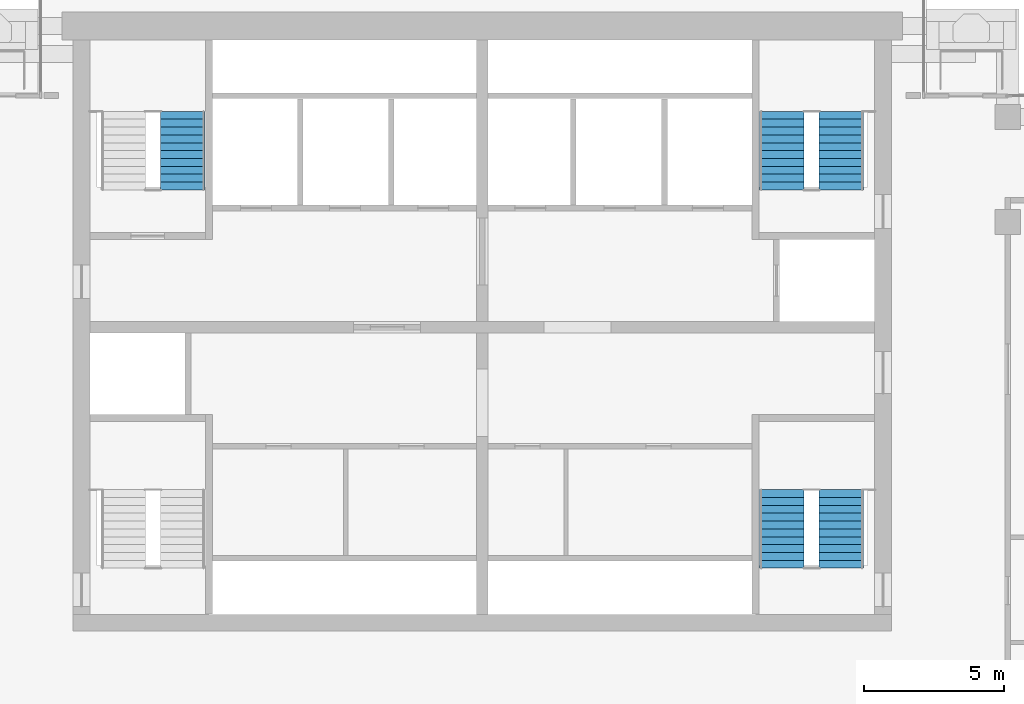
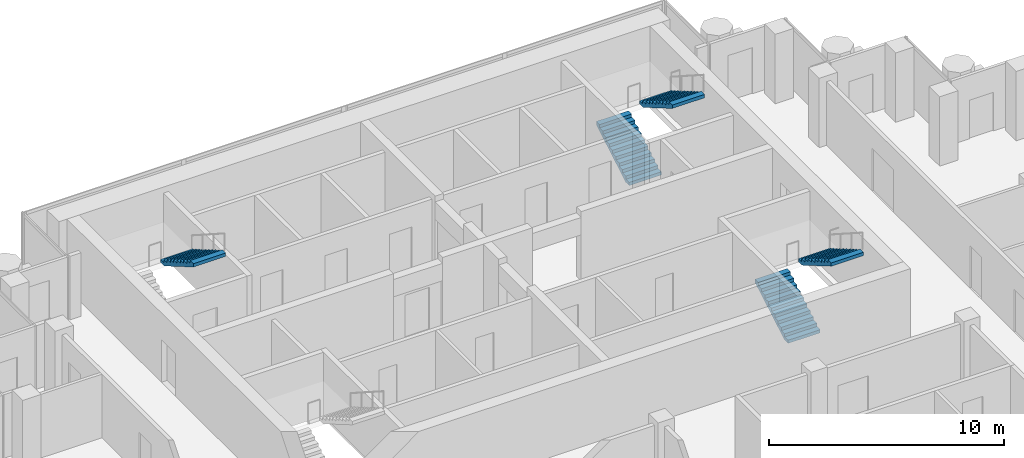
# One storey, part 15 of 19: 5 stair flights, 3 elements without a shape of their own.
"""IFC4 building model written with IfcOpenShell, lengths in metres."""

from ifc_helpers import new_model, si_unit, direction, frame, origin, place, context, subcontext, project, spatial, polyline, outline, extrude, material, type_object, element, aggregate, save


model = new_model("IFC4")

# Units and contexts
model_context = context("Model", 3, precision=1e-05, world=origin(), true_north=direction((0.0, 1.0)))
body_context = subcontext(model_context, "Body", "Model", "MODEL_VIEW")
ifc_project = project(units=[si_unit("LENGTHUNIT", "METRE"), si_unit("AREAUNIT", "SQUARE_METRE"), si_unit("VOLUMEUNIT", "CUBIC_METRE"), si_unit("PLANEANGLEUNIT", "RADIAN"), si_unit("MASSUNIT", "GRAM", prefix="KILO")], contexts=[model_context])

# Site, building, storey
site_placement = place(None, origin())
site = spatial("IfcSite", under=ifc_project, at=site_placement, CompositionType="ELEMENT")
building_placement = place(site_placement, origin())
building = spatial("IfcBuilding", under=site, at=building_placement, Name="Pilkhan Gate Tower", CompositionType="ELEMENT")
storey_placement = place(building_placement, frame((0.0, 0.0, 239.10009765625)))
storey = spatial("IfcBuildingStorey", under=building, at=storey_placement, Name="L62", CompositionType="ELEMENT", Elevation=239.10009765625)

# Stair, stair flights
ifc_material = material(Name="Concrete C40/50 precast", Category="concrete")
stair_type_1 = type_object("IfcStairType", Name="Stair ST1 164x280", PredefinedType="HALF_TURN_STAIR", material=ifc_material)
stair_1_placement = place(storey_placement, origin())
stair_1 = element("IfcStair", 1, at=stair_1_placement, inside=storey, type_object=stair_type_1, Name="Stair ST1 L62", PredefinedType="HALF_TURN_STAIR")
stair_flight_type_1 = type_object("IfcStairFlightType", Name="Stair flight ST1 164x280x11", PredefinedType="STRAIGHT", material=ifc_material)
stair_flight_1_placement = place(storey_placement, frame((85.68994140625, 73.89990234375, 0.0), z_axis=(0.0, 0.0, 1.0), x_axis=(0.0, 1.0, 0.0)))
stair_flight_1 = element("IfcStairFlight", 2, at=stair_flight_1_placement, type_object=stair_flight_type_1, Name="ST1 flight 1", NumberOfRisers=11, NumberOfTreads=10, PredefinedType="STRAIGHT", RiserHeight=0.163636364, TreadLength=0.28, context=body_context, shape_type="SweptSolid", body=[
    extrude(outline(polyline([(0.0, 0.0), (0.0, 0.16357421875), (0.280029296875, 0.16357421875), (0.280029296875, 0.327392578125), (0.56005859375, 0.327392578125), (0.56005859375, 0.490966796875), (0.840087890625, 0.490966796875), (0.840087890625, 0.654541015625), (1.1201171875, 0.654541015625), (1.1201171875, 0.818115234375), (1.39990234375, 0.818115234375), (1.39990234375, 0.98193359375), (1.679931640625, 0.98193359375), (1.679931640625, 1.1455078125), (1.9599609375, 1.1455078125), (1.9599609375, 1.30908203125), (2.239990234375, 1.30908203125), (2.239990234375, 1.47265625), (2.52001953125, 1.47265625), (2.52001953125, 1.636474609375), (2.800048828125, 1.636474609375), (2.800048828125, 1.800048828125), (2.800048828125, 1.462646484375), (0.297119140625, 0.0), (0.0, 0.0)])), frame((0.0, 0.7900390625, 0.0), z_axis=(0.0, -1.0, 0.0), x_axis=(1.0, 0.0, 0.0)), (0.0, 0.0, 1.0), 1.580078125),
])
stair_flight_2_placement = place(storey_placement, frame((87.81005859375, 76.699951171875, 1.7998046875), z_axis=(0.0, 0.0, 1.0), x_axis=(0.0, -1.0, 0.0)))
stair_flight_2 = element("IfcStairFlight", 3, at=stair_flight_2_placement, type_object=stair_flight_type_1, Name="ST1 flight 2", NumberOfRisers=11, NumberOfTreads=10, PredefinedType="STRAIGHT", RiserHeight=0.163636364, TreadLength=0.28, context=body_context, shape_type="SweptSolid", body=[
    extrude(outline(polyline([(0.0, 0.0), (0.0, 0.16357421875), (0.280029296875, 0.16357421875), (0.280029296875, 0.327392578125), (0.56005859375, 0.327392578125), (0.56005859375, 0.490966796875), (0.840087890625, 0.490966796875), (0.840087890625, 0.654541015625), (1.1201171875, 0.654541015625), (1.1201171875, 0.818115234375), (1.39990234375, 0.818115234375), (1.39990234375, 0.98193359375), (1.679931640625, 0.98193359375), (1.679931640625, 1.1455078125), (1.9599609375, 1.1455078125), (1.9599609375, 1.30908203125), (2.239990234375, 1.30908203125), (2.239990234375, 1.47265625), (2.52001953125, 1.47265625), (2.52001953125, 1.636474609375), (2.800048828125, 1.636474609375), (2.800048828125, 1.800048828125), (2.800048828125, 1.462646484375), (0.297119140625, 0.0), (0.0, 0.0)])), frame((0.0, 0.7900390625, 0.0), z_axis=(0.0, -1.0, 0.0), x_axis=(1.0, 0.0, 0.0)), (0.0, 0.0, 1.0), 1.580078125),
])
aggregate(stair_1, [stair_flight_1, stair_flight_2])

# Stair, stair flight
stair_type_2 = type_object("IfcStairType", Name="Stair ST3 164x280", PredefinedType="HALF_TURN_STAIR", material=ifc_material)
stair_2_placement = place(storey_placement, origin())
stair_2 = element("IfcStair", 4, at=stair_2_placement, inside=storey, type_object=stair_type_2, Name="Stair ST3 L62", PredefinedType="HALF_TURN_STAIR")
stair_flight_type_2 = type_object("IfcStairFlightType", Name="Stair flight ST3 164x280x11", PredefinedType="STRAIGHT", material=ifc_material)
stair_flight_3_placement = place(storey_placement, frame((64.31005859375, 90.199951171875, 1.7998046875), z_axis=(0.0, 0.0, 1.0), x_axis=(0.0, -1.0, 0.0)))
stair_flight_3 = element("IfcStairFlight", 5, at=stair_flight_3_placement, type_object=stair_flight_type_2, Name="ST3 flight 2", NumberOfRisers=11, NumberOfTreads=10, PredefinedType="STRAIGHT", RiserHeight=0.163636364, TreadLength=0.28, context=body_context, shape_type="SweptSolid", body=[
    extrude(outline(polyline([(0.0, 0.0), (0.0, 0.16357421875), (0.280029296875, 0.16357421875), (0.280029296875, 0.327392578125), (0.56005859375, 0.327392578125), (0.56005859375, 0.490966796875), (0.840087890625, 0.490966796875), (0.840087890625, 0.654541015625), (1.1201171875, 0.654541015625), (1.1201171875, 0.818115234375), (1.39990234375, 0.818115234375), (1.39990234375, 0.98193359375), (1.679931640625, 0.98193359375), (1.679931640625, 1.1455078125), (1.9599609375, 1.1455078125), (1.9599609375, 1.30908203125), (2.239990234375, 1.30908203125), (2.239990234375, 1.47265625), (2.52001953125, 1.47265625), (2.52001953125, 1.636474609375), (2.800048828125, 1.636474609375), (2.800048828125, 1.800048828125), (2.800048828125, 1.462646484375), (0.297119140625, 0.0), (0.0, 0.0)])), frame((0.0, 0.7900390625, 0.0), z_axis=(0.0, -1.0, 0.0), x_axis=(1.0, 0.0, 0.0)), (0.0, 0.0, 1.0), 1.580078125),
])
aggregate(stair_2, [stair_flight_3])

# Stair, stair flights
stair_type_3 = type_object("IfcStairType", Name="Stair ST4 164x280", PredefinedType="HALF_TURN_STAIR", material=ifc_material)
stair_3_placement = place(storey_placement, origin())
stair_3 = element("IfcStair", 6, at=stair_3_placement, inside=storey, type_object=stair_type_3, Name="Stair ST4 L62", PredefinedType="HALF_TURN_STAIR")
stair_flight_type_3 = type_object("IfcStairFlightType", Name="Stair flight ST4 164x280x11", PredefinedType="STRAIGHT", material=ifc_material)
stair_flight_4_placement = place(storey_placement, frame((85.68994140625, 87.39990234375, 0.0), z_axis=(0.0, 0.0, 1.0), x_axis=(0.0, 1.0, 0.0)))
stair_flight_4 = element("IfcStairFlight", 7, at=stair_flight_4_placement, type_object=stair_flight_type_3, Name="ST4 flight 1", NumberOfRisers=11, NumberOfTreads=10, PredefinedType="STRAIGHT", RiserHeight=0.163636364, TreadLength=0.28, context=body_context, shape_type="SweptSolid", body=[
    extrude(outline(polyline([(0.0, 0.0), (0.0, 0.16357421875), (0.280029296875, 0.16357421875), (0.280029296875, 0.327392578125), (0.56005859375, 0.327392578125), (0.56005859375, 0.490966796875), (0.840087890625, 0.490966796875), (0.840087890625, 0.654541015625), (1.1201171875, 0.654541015625), (1.1201171875, 0.818115234375), (1.39990234375, 0.818115234375), (1.39990234375, 0.98193359375), (1.679931640625, 0.98193359375), (1.679931640625, 1.1455078125), (1.9599609375, 1.1455078125), (1.9599609375, 1.30908203125), (2.239990234375, 1.30908203125), (2.239990234375, 1.47265625), (2.52001953125, 1.47265625), (2.52001953125, 1.636474609375), (2.800048828125, 1.636474609375), (2.800048828125, 1.800048828125), (2.800048828125, 1.462646484375), (0.297119140625, 0.0), (0.0, 0.0)])), frame((0.0, 0.7900390625, 0.0), z_axis=(0.0, -1.0, 0.0), x_axis=(1.0, 0.0, 0.0)), (0.0, 0.0, 1.0), 1.580078125),
])
stair_flight_5_placement = place(storey_placement, frame((87.81005859375, 90.199951171875, 1.7998046875), z_axis=(0.0, 0.0, 1.0), x_axis=(0.0, -1.0, 0.0)))
stair_flight_5 = element("IfcStairFlight", 8, at=stair_flight_5_placement, type_object=stair_flight_type_3, Name="ST4 flight 2", NumberOfRisers=11, NumberOfTreads=10, PredefinedType="STRAIGHT", RiserHeight=0.163636364, TreadLength=0.28, context=body_context, shape_type="SweptSolid", body=[
    extrude(outline(polyline([(0.0, 0.0), (0.0, 0.16357421875), (0.280029296875, 0.16357421875), (0.280029296875, 0.327392578125), (0.56005859375, 0.327392578125), (0.56005859375, 0.490966796875), (0.840087890625, 0.490966796875), (0.840087890625, 0.654541015625), (1.1201171875, 0.654541015625), (1.1201171875, 0.818115234375), (1.39990234375, 0.818115234375), (1.39990234375, 0.98193359375), (1.679931640625, 0.98193359375), (1.679931640625, 1.1455078125), (1.9599609375, 1.1455078125), (1.9599609375, 1.30908203125), (2.239990234375, 1.30908203125), (2.239990234375, 1.47265625), (2.52001953125, 1.47265625), (2.52001953125, 1.636474609375), (2.800048828125, 1.636474609375), (2.800048828125, 1.800048828125), (2.800048828125, 1.462646484375), (0.297119140625, 0.0), (0.0, 0.0)])), frame((0.0, 0.7900390625, 0.0), z_axis=(0.0, -1.0, 0.0), x_axis=(1.0, 0.0, 0.0)), (0.0, 0.0, 1.0), 1.580078125),
])
aggregate(stair_3, [stair_flight_4, stair_flight_5])

save(model, "model.ifc")
